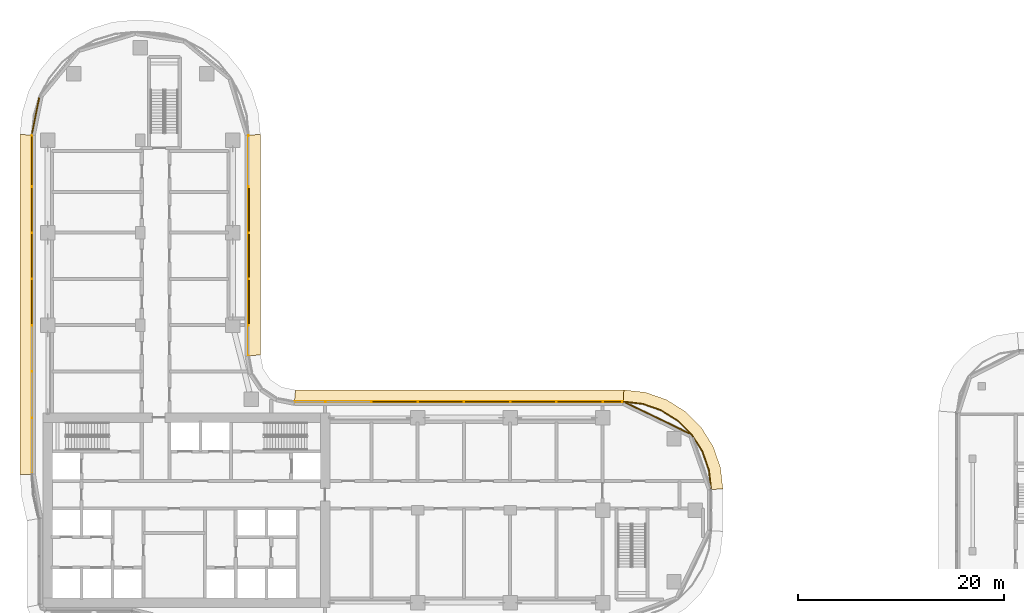
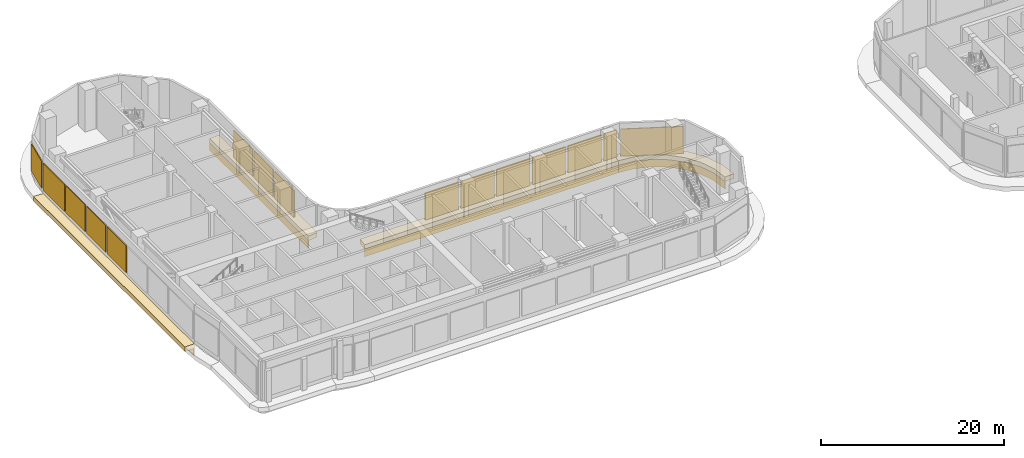
# One storey, part 19 of 23: 15 shading devices, 8 coverings.
"""IFC4 building model written with IfcOpenShell, lengths in metres."""

from ifc_helpers import new_model, si_unit, direction, frame, origin, origin_2d, place, context, subcontext, project, spatial, polyline, rectangle, outline, extrude, material, layer, layer_set, type_object, element, save


model = new_model("IFC4")

# Units and contexts
model_context = context("Model", 3, precision=1e-05, world=origin(), true_north=direction((0.0, 1.0)))
body_context = subcontext(model_context, "Body", "Model", "MODEL_VIEW")
ifc_project = project(units=[si_unit("LENGTHUNIT", "METRE"), si_unit("AREAUNIT", "SQUARE_METRE"), si_unit("VOLUMEUNIT", "CUBIC_METRE"), si_unit("PLANEANGLEUNIT", "RADIAN"), si_unit("MASSUNIT", "GRAM", prefix="KILO")], contexts=[model_context])

# Site, building, storey
site_placement = place(None, origin())
site = spatial("IfcSite", under=ifc_project, at=site_placement, CompositionType="ELEMENT")
building_placement = place(site_placement, origin())
building = spatial("IfcBuilding", under=site, at=building_placement, Name="Ogive Portal Towers", CompositionType="ELEMENT")
storey_placement = place(building_placement, frame((0.0, 0.0, 81.60009765625)))
storey = spatial("IfcBuildingStorey", under=building, at=storey_placement, Name="L19", CompositionType="ELEMENT", Elevation=81.60009765625)

# Shading devices
ifc_material_1 = material(Name="Aluminium 6063 anodised", Category="aluminium")
ifc_layer_1 = layer(ifc_material_1, 0.1201171875)
ifc_layer_set_1 = layer_set([ifc_layer_1], Name="LOUVRE BANK ALUMINIUM")
shading_device_type = type_object("IfcShadingDeviceType", Name="LOUVRE BANK ALUMINIUM", PredefinedType="USERDEFINED", material=ifc_layer_set_1)
shading_device_1_placement = place(storey_placement, frame((90.82373046875, 39.466064453125, 0.599853515625), z_axis=(0.0, 0.0, 1.0), x_axis=(-0.900968867905, 0.433883739113, 0.0)))
element("IfcShadingDevice", 1, at=shading_device_1_placement, inside=storey, type_object=shading_device_type, Name="Louvre bank 1", ObjectType="LOUVRE", PredefinedType="USERDEFINED", context=body_context, shape_type="SweptSolid", body=[
    extrude(rectangle(XDim=6.88330078125, YDim=0.1201171875, at=origin_2d()), origin(), (0.0, 0.0, 1.0), 3.60009765625),
])
shading_device_2_placement = place(storey_placement, frame((86.4658203125, 41.06005859375, 0.599853515625), z_axis=(0.0, 0.0, 1.0), x_axis=(-1.0, 0.0, 0.0)))
element("IfcShadingDevice", 2, at=shading_device_2_placement, inside=storey, type_object=shading_device_type, Name="Louvre bank 1", ObjectType="LOUVRE", PredefinedType="USERDEFINED", context=body_context, shape_type="SweptSolid", body=[
    extrude(rectangle(XDim=1.631591796875, YDim=0.1201171875, at=origin_2d()), origin(), (0.0, 0.0, 1.0), 3.60009765625),
])
for number, where, z_axis, x_axis, name in (
    (3, (83.25, 41.06005859375, 0.599853515625), (0.0, 0.0, 1.0), (-1.0, 0.0, 0.0), "Louvre bank 2"),
    (4, (78.75, 41.06005859375, 0.599853515625), (0.0, 0.0, 1.0), (-1.0, 0.0, 0.0), "Louvre bank 3"),
    (5, (74.25, 41.06005859375, 0.599853515625), (0.0, 0.0, 1.0), (-1.0, 0.0, 0.0), "Louvre bank 4"),
    (6, (69.75, 41.06005859375, 0.599853515625), (0.0, 0.0, 1.0), (-1.0, 0.0, 0.0), "Louvre bank 5"),
    (7, (65.25, 41.06005859375, 0.599853515625), (0.0, 0.0, 1.0), (-1.0, 0.0, 0.0), "Louvre bank 6"),
    (8, (51.06005859375, 50.75, 0.599853515625), (0.0, 0.0, 1.0), (0.0, 1.0, 0.0), "Louvre bank 2"),
    (9, (51.06005859375, 55.25, 0.599853515625), (0.0, 0.0, 1.0), (0.0, 1.0, 0.0), "Louvre bank 3"),
    (10, (51.06005859375, 59.75, 0.599853515625), (0.0, 0.0, 1.0), (0.0, 1.0, 0.0), "Louvre bank 4"),
):
    element("IfcShadingDevice", number, at=place(storey_placement, frame(where, z_axis=z_axis, x_axis=x_axis)), inside=storey, type_object=shading_device_type, Name=name, ObjectType="LOUVRE", PredefinedType="USERDEFINED", context=body_context, shape_type="SweptSolid", body=[
        extrude(rectangle(XDim=4.199951171875, YDim=0.1201171875, at=origin_2d()), origin(), (0.0, 0.0, 1.0), 3.60009765625),
    ])
shading_device_3_placement = place(storey_placement, frame((30.3173828125, 68.90283203125, 0.599853515625), z_axis=(0.0, 0.0, 1.0), x_axis=(-0.195090322016, -0.980785280403, 0.0)))
element("IfcShadingDevice", 11, at=shading_device_3_placement, inside=storey, type_object=shading_device_type, Name="Louvre bank 1", ObjectType="LOUVRE", PredefinedType="USERDEFINED", context=body_context, shape_type="SweptSolid", body=[
    extrude(rectangle(XDim=3.4970703125, YDim=0.1201171875, at=origin_2d()), origin(), (0.0, 0.0, 1.0), 3.60009765625),
])
shading_device_4_placement = place(storey_placement, frame((29.93994140625, 64.485107421875, 0.599853515625), z_axis=(0.0, 0.0, 1.0), x_axis=(0.0, -1.0, 0.0)))
element("IfcShadingDevice", 12, at=shading_device_4_placement, inside=storey, type_object=shading_device_type, Name="Louvre bank 1", ObjectType="LOUVRE", PredefinedType="USERDEFINED", context=body_context, shape_type="SweptSolid", body=[
    extrude(rectangle(XDim=4.67041015625, YDim=0.1201171875, at=origin_2d()), origin(), (0.0, 0.0, 1.0), 3.60009765625),
])
for number, where, z_axis, x_axis, name in (
    (13, (29.93994140625, 59.75, 0.599853515625), (0.0, 0.0, 1.0), (0.0, -1.0, 0.0), "Louvre bank 2"),
    (14, (29.93994140625, 55.25, 0.599853515625), (0.0, 0.0, 1.0), (0.0, -1.0, 0.0), "Louvre bank 3"),
    (15, (29.93994140625, 50.75, 0.599853515625), (0.0, 0.0, 1.0), (0.0, -1.0, 0.0), "Louvre bank 4"),
):
    element("IfcShadingDevice", number, at=place(storey_placement, frame(where, z_axis=z_axis, x_axis=x_axis)), inside=storey, type_object=shading_device_type, Name=name, ObjectType="LOUVRE", PredefinedType="USERDEFINED", context=body_context, shape_type="SweptSolid", body=[
        extrude(rectangle(XDim=4.199951171875, YDim=0.1201171875, at=origin_2d()), origin(), (0.0, 0.0, 1.0), 3.60009765625),
    ])

# Coverings
ifc_material_2 = material(Name="Limestone cladding on lightweight block wall", Category="masonry")
ifc_layer_2 = layer(ifc_material_2, 0.080078125)
ifc_layer_set_2 = layer_set([ifc_layer_2], Name="STONE SPANDREL 80")
covering_type_1 = type_object("IfcCoveringType", Name="STONE SPANDREL 80", PredefinedType="CLADDING", material=ifc_layer_set_2)
covering_1_placement = place(storey_placement, frame((0.0, 0.0, -1.60009765625)))
element("IfcCovering", 16, at=covering_1_placement, inside=storey, type_object=covering_type_1, Name="Stone spandrel A1-F08", PredefinedType="CLADDING", context=body_context, shape_type="SweptSolid", body=[
    extrude(outline(polyline([(96.0, 32.5), (95.786865234375, 34.391357421875), (95.158203125, 36.18798828125), (94.1455078125, 37.799560546875), (92.799560546875, 39.1455078125), (91.18798828125, 40.158203125), (89.391357421875, 40.786865234375), (87.5, 41.0), (87.50439453125, 41.080078125), (89.409423828125, 40.865478515625), (91.222900390625, 40.230712890625), (92.849853515625, 39.20849609375), (94.20849609375, 37.849853515625), (95.230712890625, 36.222900390625), (95.865478515625, 34.409423828125), (96.080078125, 32.50439453125), (96.0, 32.5)])), origin(), (0.0, 0.0, 1.0), 1.0),
])
covering_2_placement = place(storey_placement, frame((0.0, 0.0, -1.60009765625)))
element("IfcCovering", 17, at=covering_2_placement, inside=storey, type_object=covering_type_1, Name="Stone spandrel A1-F09", PredefinedType="CLADDING", context=body_context, shape_type="SweptSolid", body=[
    extrude(outline(polyline([(87.5, 41.0), (55.5, 41.0), (55.5078125, 41.080078125), (87.50439453125, 41.080078125), (87.5, 41.0)])), origin(), (0.0, 0.0, 1.0), 1.0),
])
covering_3_placement = place(storey_placement, frame((0.0, 0.0, -1.60009765625)))
element("IfcCovering", 18, at=covering_3_placement, inside=storey, type_object=covering_type_1, Name="Stone spandrel A1-F11", PredefinedType="CLADDING", context=body_context, shape_type="SweptSolid", body=[
    extrude(outline(polyline([(51.0, 45.5), (51.0, 67.0), (51.080078125, 67.00390625), (51.080078125, 45.5078125), (51.0, 45.5)])), origin(), (0.0, 0.0, 1.0), 1.0),
])
covering_4_placement = place(storey_placement, frame((0.0, 0.0, -1.60009765625)))
element("IfcCovering", 19, at=covering_4_placement, inside=storey, type_object=covering_type_1, Name="Stone spandrel A1-F13", PredefinedType="CLADDING", context=body_context, shape_type="SweptSolid", body=[
    extrude(outline(polyline([(30.0, 67.0), (30.0, 34.0), (29.919921875, 33.9970703125), (29.919921875, 67.00390625), (30.0, 67.0)])), origin(), (0.0, 0.0, 1.0), 1.0),
])
ifc_layer_3 = layer(ifc_material_2, 0.60009765625)
ifc_layer_set_3 = layer_set([ifc_layer_3], Name="SUNSHADE LIP 600")
covering_type_2 = type_object("IfcCoveringType", Name="SUNSHADE LIP 600", PredefinedType="CLADDING", material=ifc_layer_set_3)
covering_5_placement = place(storey_placement, frame((0.0, 0.0, -0.60009765625)))
element("IfcCovering", 20, at=covering_5_placement, inside=storey, type_object=covering_type_2, Name="Sunshade lip A1-F08", PredefinedType="CLADDING", context=body_context, shape_type="SweptSolid", body=[
    extrude(outline(polyline([(96.0, 32.5), (95.786865234375, 34.391357421875), (95.158203125, 36.18798828125), (94.1455078125, 37.799560546875), (92.799560546875, 39.1455078125), (91.18798828125, 40.158203125), (89.391357421875, 40.786865234375), (87.5, 41.0), (87.5673828125, 42.199951171875), (89.66015625, 41.964111328125), (91.7119140625, 41.246337890625), (93.552490234375, 40.089599609375), (95.089599609375, 38.552490234375), (96.246337890625, 36.7119140625), (96.964111328125, 34.66015625), (97.199951171875, 32.5673828125), (96.0, 32.5)])), origin(), (0.0, 0.0, 1.0), 0.60009765625),
])
covering_6_placement = place(storey_placement, frame((0.0, 0.0, -0.60009765625)))
element("IfcCovering", 21, at=covering_6_placement, inside=storey, type_object=covering_type_2, Name="Sunshade lip A1-F09", PredefinedType="CLADDING", context=body_context, shape_type="SweptSolid", body=[
    extrude(outline(polyline([(87.5, 41.0), (55.5, 41.0), (55.6181640625, 42.199951171875), (87.5673828125, 42.199951171875), (87.5, 41.0)])), origin(), (0.0, 0.0, 1.0), 0.60009765625),
])
covering_7_placement = place(storey_placement, frame((0.0, 0.0, -0.60009765625)))
element("IfcCovering", 22, at=covering_7_placement, inside=storey, type_object=covering_type_2, Name="Sunshade lip A1-F11", PredefinedType="CLADDING", context=body_context, shape_type="SweptSolid", body=[
    extrude(outline(polyline([(51.0, 45.5), (51.0, 67.0), (52.199951171875, 67.058837890625), (52.199951171875, 45.6181640625), (51.0, 45.5)])), origin(), (0.0, 0.0, 1.0), 0.60009765625),
])
covering_8_placement = place(storey_placement, frame((0.0, 0.0, -0.60009765625)))
element("IfcCovering", 23, at=covering_8_placement, inside=storey, type_object=covering_type_2, Name="Sunshade lip A1-F13", PredefinedType="CLADDING", context=body_context, shape_type="SweptSolid", body=[
    extrude(outline(polyline([(30.0, 67.0), (30.0, 34.0), (28.800048828125, 33.95703125), (28.800048828125, 67.058837890625), (30.0, 67.0)])), origin(), (0.0, 0.0, 1.0), 0.60009765625),
])

save(model, "model.ifc")
